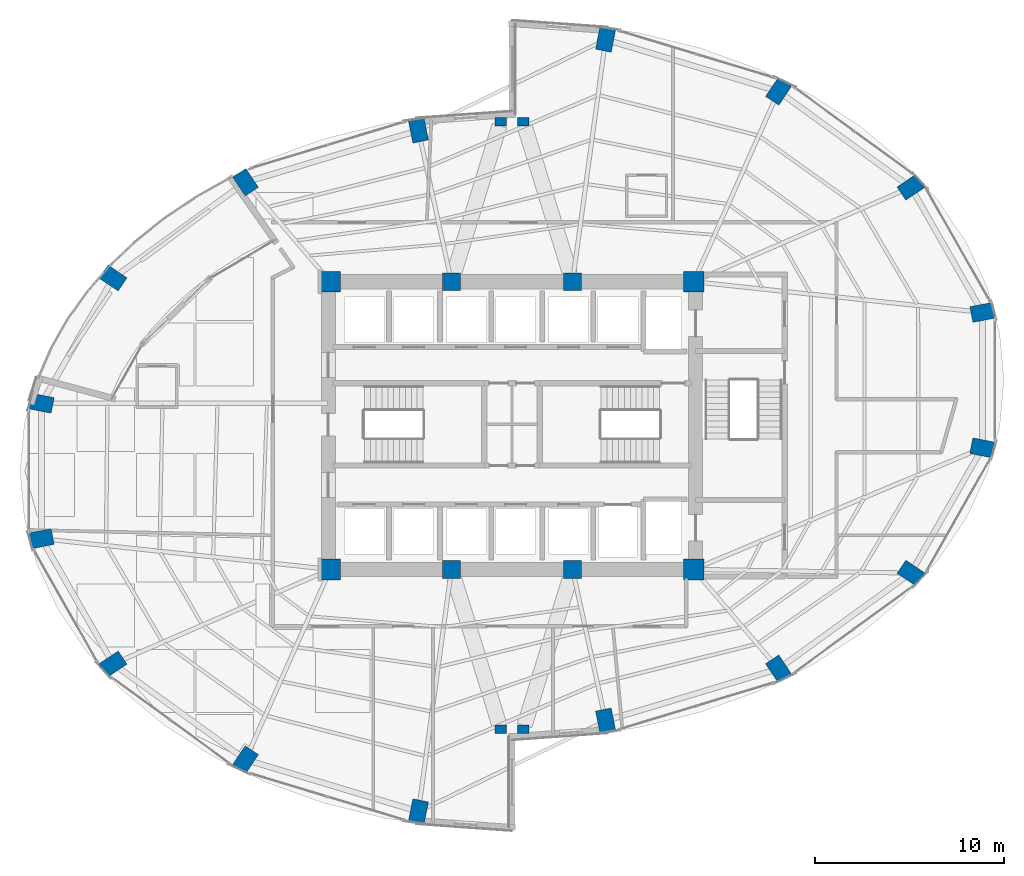
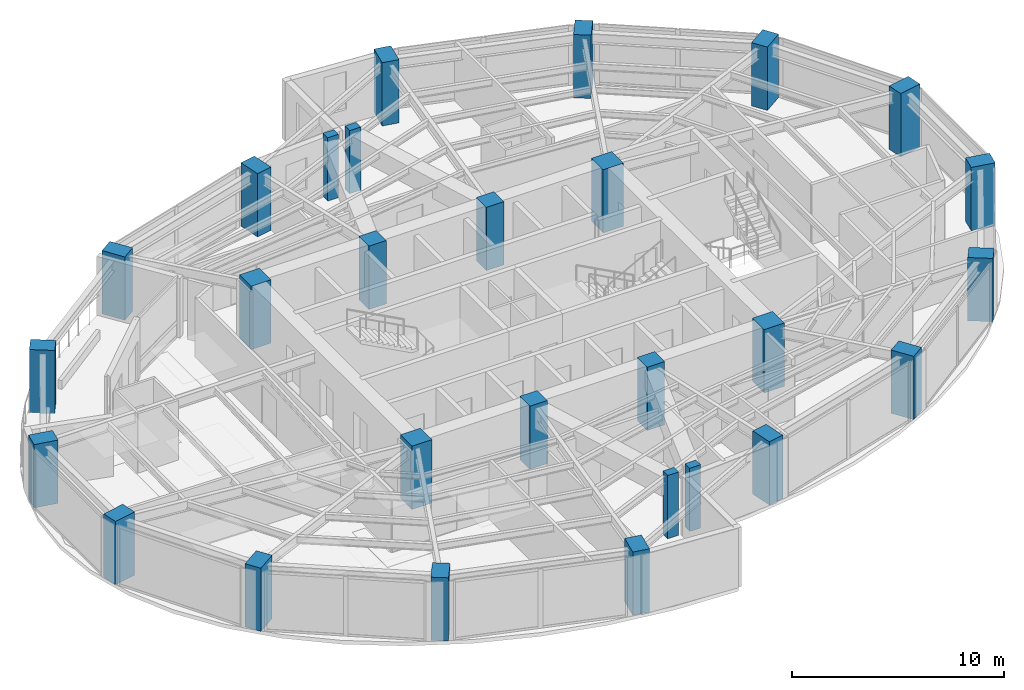
# One storey, part 1 of 24: 28 columns.
"""IFC4 building model written with IfcOpenShell, lengths in metres."""

from ifc_helpers import new_model, si_unit, direction, frame, origin, origin_2d, place, context, subcontext, project, spatial, rectangle, extrude, material, material_profile, profile_set, type_object, element, save


model = new_model("IFC4")

# Units and contexts
model_context = context("Model", 3, precision=1e-05, world=origin(), true_north=direction((0.0, 1.0)))
body_context = subcontext(model_context, "Body", "Model", "MODEL_VIEW")
ifc_project = project(units=[si_unit("LENGTHUNIT", "METRE"), si_unit("AREAUNIT", "SQUARE_METRE"), si_unit("VOLUMEUNIT", "CUBIC_METRE"), si_unit("PLANEANGLEUNIT", "RADIAN"), si_unit("MASSUNIT", "GRAM", prefix="KILO")], contexts=[model_context])

# Site, building, storey
site_placement = place(None, origin())
site = spatial("IfcSite", under=ifc_project, at=site_placement, CompositionType="ELEMENT")
building_placement = place(site_placement, origin())
building = spatial("IfcBuilding", under=site, at=building_placement, Name="Lazwardi Medical Tower", CompositionType="ELEMENT")
storey_placement = place(building_placement, frame((0.0, 0.0, 110.927978515625)))
storey = spatial("IfcBuildingStorey", under=building, at=storey_placement, Name="L28", CompositionType="ELEMENT", Elevation=110.927978515625)

# Columns
ifc_material_1 = material(Name="Concrete C80/95", Category="concrete")
ifc_material_profile_1 = material_profile(ifc_material_1, rectangle(XDim=1.10009765625, YDim=1.10009765625, at=origin_2d()), Name="RC 1100x1100")
ifc_profile_set_1 = profile_set([ifc_material_profile_1], Name="Concrete C80/95")
column_type_1 = type_object("IfcColumnType", Name="COL-CC-L", PredefinedType="COLUMN", material=ifc_profile_set_1)
for number, where, z_axis, x_axis, name in (
    (1, (26.39990234375, 20.39990234375, 0.0), (0.0, 0.0, 1.0), (1.0, 0.0, 0.0), "Core column CC-01 CC1 L28"),
    (2, (45.60009765625, 20.39990234375, 0.0), (0.0, 0.0, 1.0), (1.0, 0.0, 0.0), "Core column CC-01 CC4 L28"),
    (3, (45.60009765625, 35.60009765625, 0.0), (0.0, 0.0, 1.0), (1.0, 0.0, 0.0), "Core column CC-01 CC5 L28"),
    (4, (26.39990234375, 35.60009765625, 0.0), (0.0, 0.0, 1.0), (1.0, 0.0, 0.0), "Core column CC-01 CC8 L28"),
):
    element("IfcColumn", number, at=place(storey_placement, frame(where, z_axis=z_axis, x_axis=x_axis)), inside=storey, type_object=column_type_1, Name=name, PredefinedType="COLUMN", context=body_context, shape_type="SweptSolid", body=[
        extrude(rectangle(XDim=1.10009765625, YDim=1.10009765625, at=origin_2d()), origin(), (0.0, 0.0, 1.0), 3.64794921875),
    ])
ifc_material_2 = material(Name="Concrete C70/85", Category="concrete")
ifc_material_profile_2 = material_profile(ifc_material_2, rectangle(XDim=0.949951171875, YDim=0.949951171875, at=origin_2d()), Name="RC 950x950")
ifc_profile_set_2 = profile_set([ifc_material_profile_2], Name="Concrete C70/85")
column_type_2 = type_object("IfcColumnType", Name="COL-CC-M", PredefinedType="COLUMN", material=ifc_profile_set_2)
for number, where, z_axis, x_axis, name in (
    (5, (32.800048828125, 20.39990234375, 0.0), (0.0, 0.0, 1.0), (1.0, 0.0, 0.0), "Core column CC-02 CC2 L28"),
    (6, (39.199951171875, 20.39990234375, 0.0), (0.0, 0.0, 1.0), (1.0, 0.0, 0.0), "Core column CC-02 CC3 L28"),
    (7, (39.199951171875, 35.60009765625, 0.0), (0.0, 0.0, 1.0), (1.0, 0.0, 0.0), "Core column CC-02 CC6 L28"),
    (8, (32.800048828125, 35.60009765625, 0.0), (0.0, 0.0, 1.0), (1.0, 0.0, 0.0), "Core column CC-02 CC7 L28"),
):
    element("IfcColumn", number, at=place(storey_placement, frame(where, z_axis=z_axis, x_axis=x_axis)), inside=storey, type_object=column_type_2, Name=name, PredefinedType="COLUMN", context=body_context, shape_type="SweptSolid", body=[
        extrude(rectangle(XDim=0.949951171875, YDim=0.949951171875, at=origin_2d()), origin(), (0.0, 0.0, 1.0), 3.64794921875),
    ])
ifc_material_profile_3 = material_profile(ifc_material_2, rectangle(XDim=1.199951171875, YDim=0.840087890625, at=origin_2d()), Name="CFT-RECT 1200x840")
ifc_profile_set_3 = profile_set([ifc_material_profile_3], Name="Concrete C70/85")
column_type_3 = type_object("IfcColumnType", Name="COL-MC-Z2", PredefinedType="COLUMN", material=ifc_profile_set_3)
for number, where, z_axis, x_axis, name in (
    (9, (40.945556640625, 12.402587890625, 0.0), (0.0, 0.0, 1.0), (0.195090322016, -0.980785280403, 0.0), "Mega column MC-04 M01 L28"),
    (10, (50.083740234375, 15.142578125, 0.0), (0.0, 0.0, 1.0), (0.55557023302, -0.831469612303, 0.0), "Mega column MC-04 M02 L28"),
    (11, (57.077880859375, 20.205322265625, 0.0), (0.0, 0.0, 1.0), (0.831469612303, -0.55557023302, 0.0), "Mega column MC-04 M03 L28"),
    (12, (60.86279296875, 26.820068359375, 0.0), (0.0, 0.0, 1.0), (0.980785280403, -0.195090322016, 0.0), "Mega column MC-04 M04 L28"),
    (13, (60.86279296875, 33.97998046875, 0.0), (0.0, 0.0, 1.0), (0.980785280403, 0.195090322016, 0.0), "Mega column MC-04 M05 L28"),
    (14, (57.077880859375, 40.5947265625, 0.0), (0.0, 0.0, 1.0), (0.831469612303, 0.55557023302, 0.0), "Mega column MC-04 M06 L28"),
    (15, (50.083740234375, 45.657470703125, 0.0), (0.0, 0.0, 1.0), (0.55557023302, 0.831469612303, 0.0), "Mega column MC-04 M07 L28"),
    (16, (40.945556640625, 48.3974609375, 0.0), (0.0, 0.0, 1.0), (0.195090322016, 0.980785280403, 0.0), "Mega column MC-04 M08 L28"),
    (17, (31.054443359375, 43.597412109375, 0.0), (0.0, 0.0, 1.0), (-0.195090322016, 0.980785280403, 0.0), "Mega column MC-04 M09 L28"),
    (18, (21.916259765625, 40.857421875, 0.0), (0.0, 0.0, 1.0), (-0.55557023302, 0.831469612303, 0.0), "Mega column MC-04 M10 L28"),
    (19, (14.922119140625, 35.794677734375, 0.0), (0.0, 0.0, 1.0), (-0.831469612303, 0.55557023302, 0.0), "Mega column MC-04 M11 L28"),
    (20, (11.13720703125, 29.179931640625, 0.0), (0.0, 0.0, 1.0), (-0.980785280403, 0.195090322016, 0.0), "Mega column MC-04 M12 L28"),
    (21, (11.13720703125, 22.02001953125, 0.0), (0.0, 0.0, 1.0), (-0.980785280403, -0.195090322016, 0.0), "Mega column MC-04 M13 L28"),
    (22, (14.922119140625, 15.4052734375, 0.0), (0.0, 0.0, 1.0), (-0.831469612303, -0.55557023302, 0.0), "Mega column MC-04 M14 L28"),
    (23, (21.916259765625, 10.342529296875, 0.0), (0.0, 0.0, 1.0), (-0.55557023302, -0.831469612303, 0.0), "Mega column MC-04 M15 L28"),
    (24, (31.054443359375, 7.6025390625, 0.0), (0.0, 0.0, 1.0), (-0.195090322016, -0.980785280403, 0.0), "Mega column MC-04 M16 L28"),
):
    element("IfcColumn", number, at=place(storey_placement, frame(where, z_axis=z_axis, x_axis=x_axis)), inside=storey, type_object=column_type_3, Name=name, PredefinedType="COLUMN", context=body_context, shape_type="SweptSolid", body=[
        extrude(rectangle(XDim=1.199951171875, YDim=0.840087890625, at=origin_2d()), origin(), (0.0, 0.0, 1.0), 3.64794921875),
    ])
ifc_material_3 = material(Name="Concrete C60/75", Category="concrete")
ifc_material_profile_4 = material_profile(ifc_material_3, rectangle(XDim=0.60009765625, YDim=0.449951171875, at=origin_2d()), Name="RC 600x450")
ifc_profile_set_4 = profile_set([ifc_material_profile_4], Name="Concrete C60/75")
column_type_4 = type_object("IfcColumnType", Name="COL-PL-IW", PredefinedType="PILASTER", material=ifc_profile_set_4)
for number, where, z_axis, x_axis, name in (
    (25, (35.39990234375, 44.050048828125, 0.0), (0.0, 0.0, 1.0), (1.0, 0.0, 0.0), "Iwan pilaster column PL-C1 PL1 L28"),
    (26, (36.60009765625, 44.050048828125, 0.0), (0.0, 0.0, 1.0), (1.0, 0.0, 0.0), "Iwan pilaster column PL-C1 PL2 L28"),
    (27, (35.39990234375, 11.949951171875, 0.0), (0.0, 0.0, 1.0), (1.0, 0.0, 0.0), "Iwan pilaster column PL-C1 PL3 L28"),
    (28, (36.60009765625, 11.949951171875, 0.0), (0.0, 0.0, 1.0), (1.0, 0.0, 0.0), "Iwan pilaster column PL-C1 PL4 L28"),
):
    element("IfcColumn", number, at=place(storey_placement, frame(where, z_axis=z_axis, x_axis=x_axis)), inside=storey, type_object=column_type_4, Name=name, PredefinedType="PILASTER", context=body_context, shape_type="SweptSolid", body=[
        extrude(rectangle(XDim=0.60009765625, YDim=0.449951171875, at=origin_2d()), origin(), (0.0, 0.0, 1.0), 3.64794921875),
    ])

save(model, "model.ifc")
